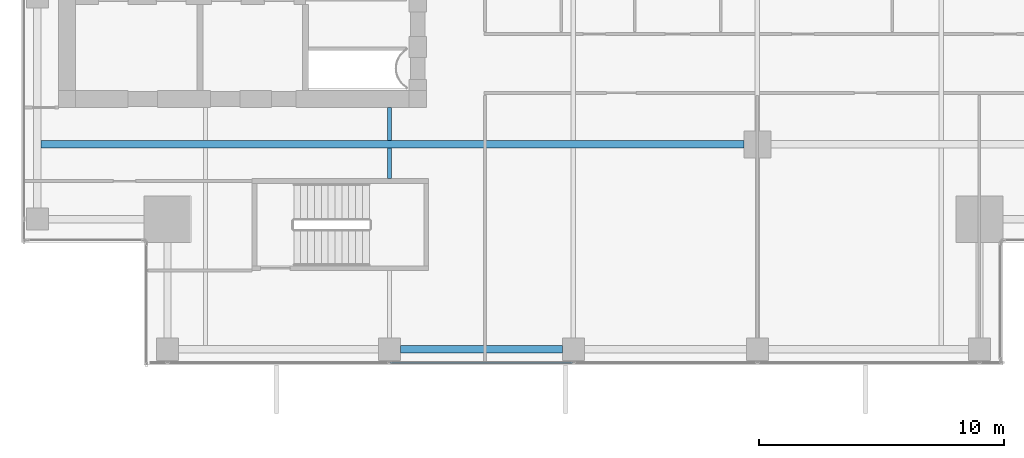
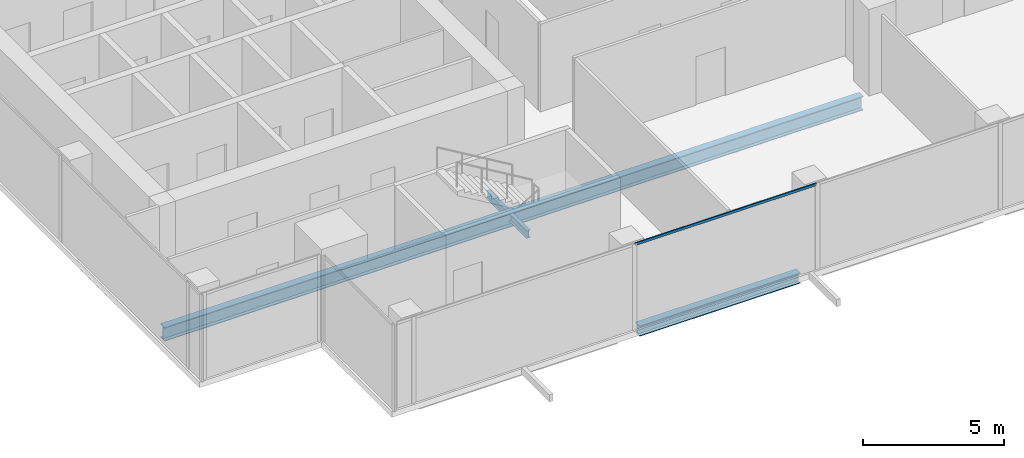
# One storey, part 5 of 34: 4 beams, 1 member, 1 element without a shape of its own.
"""IFC4 building model written with IfcOpenShell, lengths in metres."""

from ifc_helpers import new_model, si_unit, direction, frame, origin, origin_2d, place, context, subcontext, project, spatial, hollow_rectangle, i_section, extrude, source, transform, mapped, material, material_profile, profile_set, type_object, element, aggregate, save


model = new_model("IFC4")

# Units and contexts
model_context = context("Model", 3, precision=1e-05, world=origin(), true_north=direction((0.0, 1.0)))
body_context = subcontext(model_context, "Body", "Model", "MODEL_VIEW")
ifc_project = project(units=[si_unit("LENGTHUNIT", "METRE"), si_unit("AREAUNIT", "SQUARE_METRE"), si_unit("VOLUMEUNIT", "CUBIC_METRE"), si_unit("PLANEANGLEUNIT", "RADIAN"), si_unit("MASSUNIT", "GRAM", prefix="KILO")], contexts=[model_context])

# Site, building, storey
site_placement = place(None, origin())
site = spatial("IfcSite", under=ifc_project, at=site_placement, CompositionType="ELEMENT")
building_placement = place(site_placement, origin())
building = spatial("IfcBuilding", under=site, at=building_placement, Name="Khomas Fold Tower", CompositionType="ELEMENT")
storey_placement = place(building_placement, frame((0.0, 0.0, 242.199951171875)))
storey = spatial("IfcBuildingStorey", under=building, at=storey_placement, Name="L54", CompositionType="ELEMENT", Elevation=242.199951171875)

# Beams
ifc_material_1 = material(Name="Steel S355", Category="steel")
ifc_material_profile_1 = material_profile(ifc_material_1, i_section(OverallWidth=0.159912109375, OverallDepth=0.330078125, WebThickness=0.007568359375, FlangeThickness=0.011474609375, at=origin_2d()), Name="IPE 330")
ifc_profile_set_1 = profile_set([ifc_material_profile_1], Name="Steel S355")
beam_type_1 = type_object("IfcBeamType", Name="IPE 330 beam JB1", PredefinedType="BEAM", material=ifc_profile_set_1)
shared_shape_1 = source(origin(), body_context, "Body", "SweptSolid", [
    extrude(i_section(OverallWidth=0.159912109375, OverallDepth=0.330078125, WebThickness=0.007568359375, FlangeThickness=0.011474609375, at=origin_2d()), origin(), (0.0, 0.0, 1.0), 1.25),
])
beam_1_placement = place(storey_placement, frame((19.5, 12.10009765625, -0.4150390625), z_axis=(0.0, 1.0, 0.0), x_axis=(-1.0, 0.0, 0.0)))
element("IfcBeam", 1, at=beam_1_placement, inside=storey, type_object=beam_type_1, Name="JB1", PredefinedType="BEAM", context=body_context, shape_type="MappedRepresentation", body=[
    mapped(shared_shape_1, transform((0.0, 0.0, 0.0))),
])
shared_shape_2 = source(origin(), body_context, "Body", "SweptSolid", [
    extrude(i_section(OverallWidth=0.159912109375, OverallDepth=0.330078125, WebThickness=0.007568359375, FlangeThickness=0.011474609375, at=origin_2d()), origin(), (0.0, 0.0, 1.0), 1.35009765625),
])
beam_2_placement = place(storey_placement, frame((19.5, 13.64990234375, -0.4150390625), z_axis=(0.0, 1.0, 0.0), x_axis=(-1.0, 0.0, 0.0)))
element("IfcBeam", 2, at=beam_2_placement, inside=storey, type_object=beam_type_1, Name="JB1", PredefinedType="BEAM", context=body_context, shape_type="MappedRepresentation", body=[
    mapped(shared_shape_2, transform((0.0, 0.0, 0.0))),
])
ifc_material_2 = material(Name="Steel S355", Category="steel")
ifc_material_profile_2 = material_profile(ifc_material_2, i_section(OverallWidth=0.300048828125, OverallDepth=0.449951171875, WebThickness=0.013916015625, FlangeThickness=0.02587890625, at=origin_2d()), Name="HE 450 B")
ifc_profile_set_2 = profile_set([ifc_material_profile_2], Name="Steel S355")
beam_type_2 = type_object("IfcBeamType", Name="HE 450 B spandrel SB4", PredefinedType="SPANDREL", material=ifc_profile_set_2)
shared_shape_3 = source(origin(), body_context, "Body", "SweptSolid", [
    extrude(i_section(OverallWidth=0.300048828125, OverallDepth=0.449951171875, WebThickness=0.013916015625, FlangeThickness=0.02587890625, at=origin_2d()), origin(), (0.0, 0.0, 1.0), 6.60009765625),
])
beam_3_placement = place(storey_placement, frame((19.949951171875, 5.14990234375, -0.474853515625), z_axis=(1.0, 0.0, 0.0), x_axis=(0.0, 1.0, 0.0)))
element("IfcBeam", 3, at=beam_3_placement, inside=storey, type_object=beam_type_2, Name="SB4", PredefinedType="SPANDREL", context=body_context, shape_type="MappedRepresentation", body=[
    mapped(shared_shape_3, transform((0.0, 0.0, 0.0))),
])
ifc_material_3 = material(Name="Steel S355", Category="steel")
ifc_material_profile_3 = material_profile(ifc_material_3, i_section(OverallWidth=0.300048828125, OverallDepth=0.60009765625, WebThickness=0.015380859375, FlangeThickness=0.030029296875, at=origin_2d()), Name="HE 600 B")
ifc_profile_set_3 = profile_set([ifc_material_profile_3], Name="Steel S355")
beam_type_3 = type_object("IfcBeamType", Name="HE 600 B beam GB5", PredefinedType="BEAM", material=ifc_profile_set_3)
shared_shape_4 = source(origin(), body_context, "Body", "SweptSolid", [
    extrude(i_section(OverallWidth=0.300048828125, OverallDepth=0.60009765625, WebThickness=0.015380859375, FlangeThickness=0.030029296875, at=origin_2d()), origin(), (0.0, 0.0, 1.0), 28.64990234375),
])
beam_4_placement = place(storey_placement, frame((5.300048828125, 13.5, -0.550048828125), z_axis=(1.0, 0.0, 0.0), x_axis=(0.0, 1.0, 0.0)))
element("IfcBeam", 4, at=beam_4_placement, inside=storey, type_object=beam_type_3, Name="GB5", PredefinedType="BEAM", context=body_context, shape_type="MappedRepresentation", body=[
    mapped(shared_shape_4, transform((0.0, 0.0, 0.0))),
])

# Curtain wall, member
ifc_material_4 = material(Name="Aluminium framed double glazing", Category="aluminium")
curtain_wall_type = type_object("IfcCurtainWallType", Name="SK-Unitised clear-glass wall, office floors CW2", PredefinedType="NOTDEFINED", material=ifc_material_4)
curtain_wall_placement = place(storey_placement, origin())
curtain_wall = element("IfcCurtainWall", 5, at=curtain_wall_placement, inside=storey, type_object=curtain_wall_type, Name="CW2 run L54 00-0", PredefinedType="NOTDEFINED")
ifc_material_5 = material(Name="Aluminium", Category="aluminium")
ifc_material_profile_4 = material_profile(ifc_material_5, hollow_rectangle(XDim=0.050048828125, YDim=0.110107421875, WallThickness=0.00390625, at=origin_2d()), Name="SK-Unitised clear-glass wall, office floors transom CW2-T")
ifc_profile_set_4 = profile_set([ifc_material_profile_4], Name="Aluminium")
member_type = type_object("IfcMemberType", Name="SK-Unitised clear-glass wall, office floors transom CW2-T", PredefinedType="USERDEFINED", material=ifc_profile_set_4)
shared_shape_5 = source(origin(), body_context, "Body", "SweptSolid", [
    extrude(hollow_rectangle(XDim=0.050048828125, YDim=0.110107421875, WallThickness=0.00390625, at=origin_2d()), origin(), (0.0, 0.0, 1.0), 7.43994140625),
])
member_placement = place(storey_placement, frame((19.530029296875, 4.60009765625, 3.695068359375), z_axis=(1.0, 0.0, 0.0), x_axis=(0.0, 1.0, 0.0)))
member = element("IfcMember", 6, at=member_placement, type_object=member_type, Name="CW2 transom 3", ObjectType="TRANSOM", PredefinedType="USERDEFINED", context=body_context, shape_type="MappedRepresentation", body=[
    mapped(shared_shape_5, transform((0.0, 0.0, 0.0))),
])
aggregate(curtain_wall, [member])

save(model, "model.ifc")
